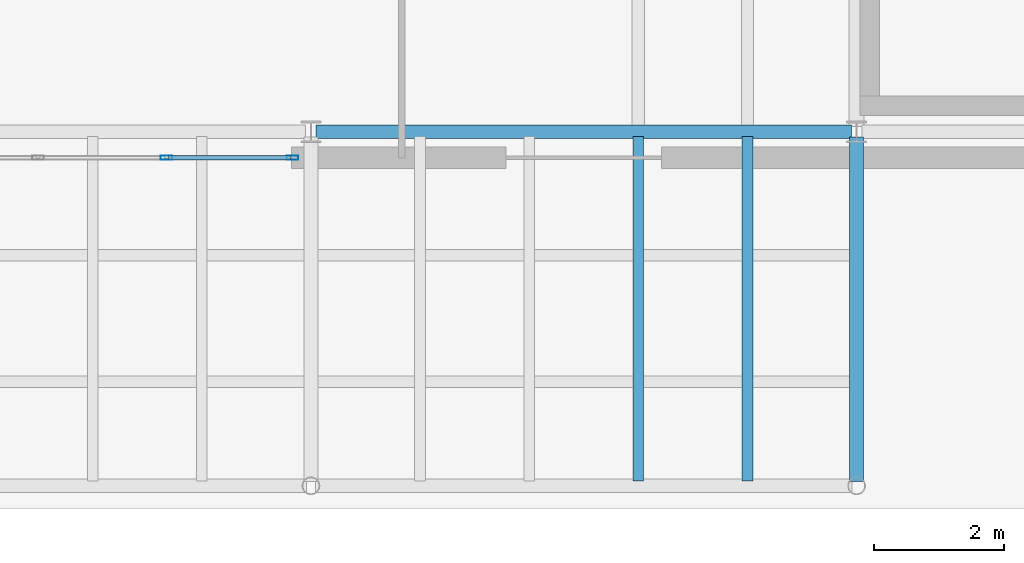
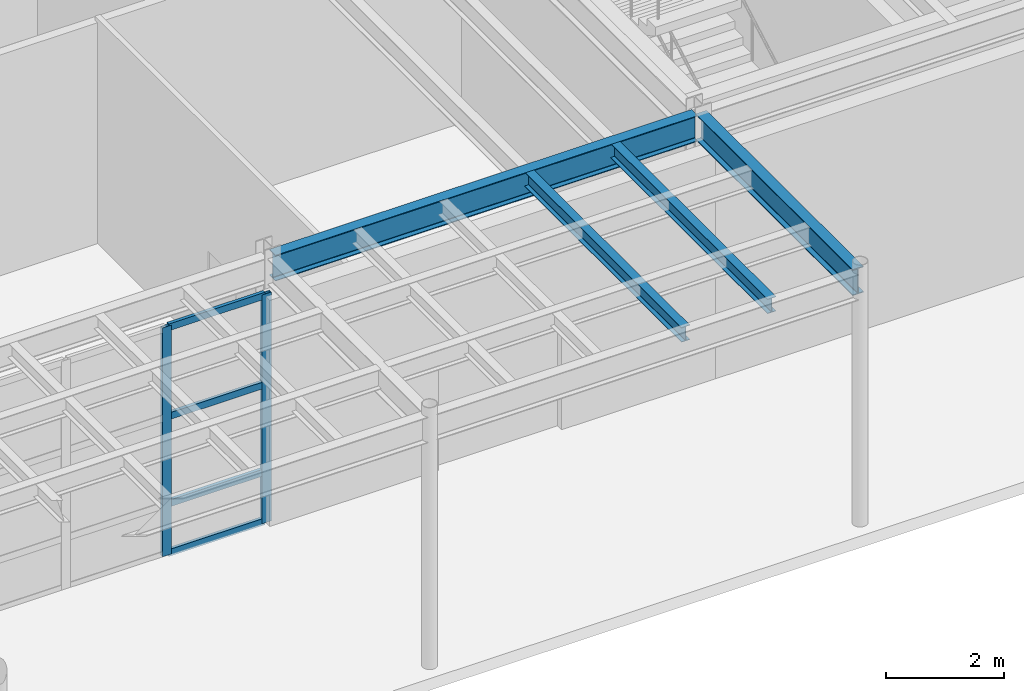
# One storey, part 34 of 87: 6 members, 4 beams, 1 element without a shape of its own.
"""IFC4 building model written with IfcOpenShell, lengths in metres."""

import ifcopenshell
import ifcopenshell.guid

model = None  # the IFC model being written
_history = None  # IfcOwnerHistory: only IFC2X3 demands one
_inside = {}  # id of a spatial element -> (the spatial element, [elements in it])
_under = {}  # id of a project, library or spatial element -> (it, [spatial elements below it])
_declared = {}  # id of a project -> (the project, [libraries it declares])
_typed = {}  # id of a type object -> (the type object, [elements of that type])
_made_of = {}  # id of a material, layer set ... -> (it, [elements and type objects made of it])


def new_model(schema):
    """Start an empty IFC model of exactly this schema.

    Asked for "IFC4X3", IfcOpenShell would pick the latest addendum, in which some entities
    have other attributes; the version numbers below select the first issue.
    IFC2X3 requires an IfcOwnerHistory on every rooted entity: one is made here for all.
    """
    global model, _history
    if schema == "IFC4X3":
        model = ifcopenshell.file(schema_version=(4, 3, 0, 0))
    else:
        model = ifcopenshell.file(schema=schema)
    _inside.clear()
    _under.clear()
    _declared.clear()
    _typed.clear()
    _made_of.clear()
    _history = None
    if model.schema == "IFC2X3":
        org = make("IfcOrganization", Name="unknown")
        user = make(
            "IfcPersonAndOrganization",
            ThePerson=make("IfcPerson", FamilyName="unknown"),
            TheOrganization=org,
        )
        app = make(
            "IfcApplication",
            ApplicationDeveloper=org,
            Version="unknown",
            ApplicationFullName="unknown",
            ApplicationIdentifier="unknown",
        )
        _history = make(
            "IfcOwnerHistory",
            OwningUser=user,
            OwningApplication=app,
            ChangeAction="ADDED",
            CreationDate=0,
        )
    return model


def make(cls, **values):
    """One entity of the class cls with the attributes given. An attribute that is None is left unset."""
    return model.create_entity(
        cls, **{name: value for name, value in values.items() if value is not None}
    )


def rooted(cls, **values):
    """An entity with a GlobalId (a new one), such as an element, a storey or a relation."""
    return make(cls, GlobalId=ifcopenshell.guid.new(), OwnerHistory=_history, **values)


def si_unit(unit_type, name, prefix=None):
    """IfcSIUnit, for example si_unit("LENGTHUNIT", "METRE", prefix="MILLI")."""
    return make("IfcSIUnit", UnitType=unit_type, Prefix=prefix, Name=name)


def assignment(units):
    """IfcUnitAssignment: the units of a project."""
    return None if units is None else make("IfcUnitAssignment", Units=units)


def point(xyz):
    """IfcCartesianPoint."""
    return None if xyz is None else make("IfcCartesianPoint", Coordinates=xyz)


def direction(xyz):
    """IfcDirection."""
    return None if xyz is None else make("IfcDirection", DirectionRatios=xyz)


def frame(location, z_axis=None, x_axis=None):
    """IfcAxis2Placement3D, a coordinate frame: its origin and axes. An axis left out is left unset."""
    return make(
        "IfcAxis2Placement3D",
        Location=point(location),
        Axis=direction(z_axis),
        RefDirection=direction(x_axis),
    )


def frame_2d(location, x_axis=None):
    """IfcAxis2Placement2D, a coordinate frame in the plane: its origin and x axis."""
    return make(
        "IfcAxis2Placement2D", Location=point(location), RefDirection=direction(x_axis)
    )


def origin():
    """The frame at (0, 0, 0) with its axes left unset."""
    return frame((0.0, 0.0, 0.0))


def origin_2d():
    """The frame at (0, 0) in the plane with its x axis left unset."""
    return frame_2d((0.0, 0.0))


def place(relative_to, where):
    """IfcLocalPlacement: puts the frame where relative to a parent placement (None: the world)."""
    return make(
        "IfcLocalPlacement", PlacementRelTo=relative_to, RelativePlacement=where
    )


def context(
    kind, dimensions, precision=None, world=None, true_north=None, identifier=None
):
    """IfcGeometricRepresentationContext, for example the 3D "Model" context."""
    return make(
        "IfcGeometricRepresentationContext",
        ContextIdentifier=identifier,
        ContextType=kind,
        CoordinateSpaceDimension=dimensions,
        Precision=precision,
        WorldCoordinateSystem=world,
        TrueNorth=true_north,
    )


def subcontext(parent, identifier, kind, view, scale=None):
    """IfcGeometricRepresentationSubContext, for example "Body" below "Model"."""
    return make(
        "IfcGeometricRepresentationSubContext",
        ContextIdentifier=identifier,
        ContextType=kind,
        ParentContext=parent,
        TargetScale=scale,
        TargetView=view,
    )


def project(units=None, contexts=None):
    """IfcProject with its units and contexts."""
    return rooted(
        "IfcProject",
        Name="project",
        RepresentationContexts=contexts,
        UnitsInContext=assignment(units),
    )


def spatial(cls, under=None, at=None, **own):
    """A site, building, storey or space (cls), placed at a placement, below another one or the project."""
    s = rooted(cls, ObjectPlacement=at, **own)
    if under is not None:
        _under.setdefault(under.id(), (under, []))[1].append(s)
    return s


def profile(cls, at=None, kind="AREA", **sizes):
    """A parametric profile (cls). Its sizes go by their IFC names, for example OverallWidth=200.0."""
    return make(cls, ProfileType=kind, Position=at, **sizes)


def hollow_rectangle(**sizes):
    """IfcRectangleHollowProfileDef."""
    return profile("IfcRectangleHollowProfileDef", **sizes)


def i_section(**sizes):
    """IfcIShapeProfileDef."""
    return profile("IfcIShapeProfileDef", **sizes)


def extrude(swept, where, along, depth):
    """IfcExtrudedAreaSolid: the profile swept, set in the frame where, extruded along a direction by depth."""
    return make(
        "IfcExtrudedAreaSolid",
        SweptArea=swept,
        Position=where,
        ExtrudedDirection=direction(along),
        Depth=depth,
    )


def shape(context_of_items, identifier, shape_type, items):
    """IfcShapeRepresentation: the items that make up one representation, for example the "Body"."""
    return make(
        "IfcShapeRepresentation",
        ContextOfItems=context_of_items,
        RepresentationIdentifier=identifier,
        RepresentationType=shape_type,
        Items=items,
    )


def material(Name=None, Category=None):
    """IfcMaterial."""
    return make("IfcMaterial", Name=Name, Category=Category)


def layer(
    of_material, thickness, ventilated=None, Name=None, Category=None, Priority=None
):
    """IfcMaterialLayer: one layer of a wall or slab, of a material (None: an air gap)."""
    return make(
        "IfcMaterialLayer",
        Material=of_material,
        LayerThickness=thickness,
        IsVentilated=ventilated,
        Name=Name,
        Category=Category,
        Priority=Priority,
    )


def layer_set(layers, Name=None):
    """IfcMaterialLayerSet."""
    return make("IfcMaterialLayerSet", MaterialLayers=layers, LayerSetName=Name)


def material_profile(
    of_material, cross_section, Name=None, Category=None, Priority=None
):
    """IfcMaterialProfile: a cross section and its material."""
    return make(
        "IfcMaterialProfile",
        Name=Name,
        Material=of_material,
        Profile=cross_section,
        Priority=Priority,
        Category=Category,
    )


def profile_set(profiles, Name=None, composite=None):
    """IfcMaterialProfileSet."""
    return make(
        "IfcMaterialProfileSet",
        Name=Name,
        MaterialProfiles=profiles,
        CompositeProfile=composite,
    )


def made_of(thing, what):
    """Note that an element or type object is made of a material, layer set ...; save() writes the relation."""
    if what is not None:
        _made_of.setdefault(what.id(), (what, []))[1].append(thing)
    return thing


def type_object(cls, material=None, **own):
    """A type object (cls), such as IfcWallType, which elements share."""
    return made_of(rooted(cls, **own), material)


def element(
    cls,
    number,
    at=None,
    inside=None,
    cuts=None,
    type_object=None,
    material=None,
    context=None,
    identifier="Body",
    shape_type=None,
    held_by="IfcProductDefinitionShape",
    body=None,
    shapes=None,
    **own,
):
    """One element of the class cls, such as IfcWall. Its Tag is "e" and its number.

    at: its placement. inside: the storey or other place that contains it. cuts: it is an
    opening in that element (IfcRelVoidsElement). A single representation is given by context,
    identifier, shape_type and body (its items); several are given by shapes. held_by: the class
    of the entity that holds the representations. save() writes the other relations.
    """
    e = rooted(cls, Tag="e%d" % number, ObjectPlacement=at, **own)
    if body is not None:
        shapes = [shape(context, identifier, shape_type, body)]
    if shapes is not None:
        e.Representation = make(held_by, Representations=shapes)
    if inside is not None:
        _inside.setdefault(inside.id(), (inside, []))[1].append(e)
    if cuts is not None:
        rooted(
            "IfcRelVoidsElement", RelatingBuildingElement=cuts, RelatedOpeningElement=e
        )
    if type_object is not None:
        _typed.setdefault(type_object.id(), (type_object, []))[1].append(e)
    return made_of(e, material)


def aggregate(whole, parts):
    """IfcRelAggregates: a whole, such as a stair, and the parts it consists of."""
    return rooted("IfcRelAggregates", RelatingObject=whole, RelatedObjects=parts)


def save(model, path):
    """Write the relations noted so far, then the file.

    IfcRelAggregates (storeys below a building ...), IfcRelContainedInSpatialStructure (elements
    in a storey), IfcRelDefinesByType, IfcRelAssociatesMaterial and IfcRelDeclares: one each for
    every whole, place, type object, material and project.
    """
    for whole, parts in _under.values():
        aggregate(whole, parts)
    for where, things in _inside.values():
        rooted(
            "IfcRelContainedInSpatialStructure",
            RelatedElements=things,
            RelatingStructure=where,
        )
    for kind, things in _typed.values():
        rooted("IfcRelDefinesByType", RelatedObjects=things, RelatingType=kind)
    for what, things in _made_of.values():
        rooted("IfcRelAssociatesMaterial", RelatedObjects=things, RelatingMaterial=what)
    for by, libraries in _declared.values():
        rooted("IfcRelDeclares", RelatingContext=by, RelatedDefinitions=libraries)
    model.write(path)


model = new_model("IFC4")

# Units and contexts
model_context = context("Model", 3, precision=1e-05, world=origin(), true_north=direction((0.0, 1.0)))
body_context = subcontext(model_context, "Body", "Model", "MODEL_VIEW")
ifc_project = project(units=[si_unit("LENGTHUNIT", "METRE"), si_unit("AREAUNIT", "SQUARE_METRE"), si_unit("VOLUMEUNIT", "CUBIC_METRE"), si_unit("PLANEANGLEUNIT", "RADIAN"), si_unit("MASSUNIT", "GRAM", prefix="KILO")], contexts=[model_context])

# Site, building, storey
site_placement = place(None, origin())
site = spatial("IfcSite", under=ifc_project, at=site_placement, CompositionType="ELEMENT")
building_placement = place(site_placement, origin())
building = spatial("IfcBuilding", under=site, at=building_placement, Name="Selat Folded Stagehouse", CompositionType="ELEMENT")
storey_placement = place(building_placement, origin())
storey = spatial("IfcBuildingStorey", under=building, at=storey_placement, Name="L00", CompositionType="ELEMENT", Elevation=0.0)

# Beams
ifc_material_1 = material(Name="Steel S355", Category="steel")
ifc_material_profile_1 = material_profile(ifc_material_1, i_section(OverallWidth=0.210693359375, OverallDepth=0.53955078125, WebThickness=0.01171875, FlangeThickness=0.018798828125, FilletRadius=0.0126953125, at=origin_2d()), Name="UKB 533x210x109")
ifc_profile_set_1 = profile_set([ifc_material_profile_1], Name="Steel S355")
beam_type_1 = type_object("IfcBeamType", Name="BM-GIRD-533x210x109", PredefinedType="BEAM", material=ifc_profile_set_1)
beam_1_placement = place(storey_placement, frame((75.60009765625, 0.418212890625, 4.940185546875), z_axis=(0.0, 1.0, 0.0), x_axis=(-1.0, 0.0, 0.0)))
element("IfcBeam", 1, at=beam_1_placement, inside=storey, type_object=beam_type_1, Name="L00 primary y-girder 0579", PredefinedType="BEAM", context=body_context, shape_type="SweptSolid", body=[
    extrude(i_section(OverallWidth=0.210693359375, OverallDepth=0.53955078125, WebThickness=0.01171875, FlangeThickness=0.018798828125, FilletRadius=0.0126953125, at=origin_2d()), origin(), (0.0, 0.0, 1.0), 5.3017578125),
])
ifc_material_profile_2 = material_profile(ifc_material_1, i_section(OverallWidth=0.209228515625, OverallDepth=0.533203125, WebThickness=0.010009765625, FlangeThickness=0.015625, FilletRadius=0.0126953125, at=origin_2d()), Name="UKB 533x210x92")
ifc_profile_set_2 = profile_set([ifc_material_profile_2], Name="Steel S355")
beam_type_2 = type_object("IfcBeamType", Name="BM-GIRD-533x210x92", PredefinedType="BEAM", material=ifc_profile_set_2)
beam_2_placement = place(storey_placement, frame((67.280029296875, 5.800048828125, 4.91357421875), z_axis=(1.0, 0.0, 0.0), x_axis=(0.0, 1.0, 0.0)))
element("IfcBeam", 2, at=beam_2_placement, inside=storey, type_object=beam_type_2, Name="L00 primary x-girder 0503", PredefinedType="BEAM", context=body_context, shape_type="SweptSolid", body=[
    extrude(i_section(OverallWidth=0.209228515625, OverallDepth=0.533203125, WebThickness=0.010009765625, FlangeThickness=0.015625, FilletRadius=0.0126953125, at=origin_2d()), origin(), (0.0, 0.0, 1.0), 8.239990234375),
])

# Curtain wall, members
ifc_material_2 = material(Name="Aluminium 6063-T6", Category="aluminium")
ifc_layer = layer(ifc_material_2, 0.2099609375)
ifc_layer_set = layer_set([ifc_layer], Name="Aluminium 6063-T6")
curtain_wall_type = type_object("IfcCurtainWallType", Name="CW-FYR-SOUTH", PredefinedType="NOTDEFINED", material=ifc_layer_set)
curtain_wall_placement = place(storey_placement, origin())
curtain_wall = element("IfcCurtainWall", 3, at=curtain_wall_placement, inside=storey, type_object=curtain_wall_type, Name="L00 curtain wall CW-FYR-L00-02", PredefinedType="NOTDEFINED")
ifc_material_profile_3 = material_profile(ifc_material_2, hollow_rectangle(XDim=0.06494140625, YDim=0.179931640625, WallThickness=0.00390625, at=origin_2d()), Name="ALU 180x65x4.0")
ifc_profile_set_3 = profile_set([ifc_material_profile_3], Name="Aluminium 6063-T6")
member_type_1 = type_object("IfcMemberType", Name="CWM-MUL-180x65", PredefinedType="MULLION", material=ifc_profile_set_3)
member_1_placement = place(storey_placement, frame((66.91748046875, 5.39990234375, 0.0), z_axis=(0.0, 0.0, 1.0), x_axis=(0.0, -1.0, 0.0)))
member_1 = element("IfcMember", 4, at=member_1_placement, type_object=member_type_1, Name="CW-04 mullion 1", PredefinedType="MULLION", context=body_context, shape_type="SweptSolid", body=[
    extrude(hollow_rectangle(XDim=0.06494140625, YDim=0.179931640625, WallThickness=0.00390625, at=origin_2d()), origin(), (0.0, 0.0, 1.0), 4.719970703125),
])
member_2_placement = place(storey_placement, frame((64.97509765625, 5.39990234375, 0.0), z_axis=(0.0, 0.0, 1.0), x_axis=(0.0, -1.0, 0.0)))
member_2 = element("IfcMember", 5, at=member_2_placement, type_object=member_type_1, Name="CW-04 mullion 2", PredefinedType="MULLION", context=body_context, shape_type="SweptSolid", body=[
    extrude(hollow_rectangle(XDim=0.06494140625, YDim=0.179931640625, WallThickness=0.00390625, at=origin_2d()), origin(), (0.0, 0.0, 1.0), 4.719970703125),
])
ifc_material_profile_4 = material_profile(ifc_material_2, hollow_rectangle(XDim=0.06494140625, YDim=0.139892578125, WallThickness=0.00390625, at=origin_2d()), Name="ALU 140x65x4.0")
ifc_profile_set_4 = profile_set([ifc_material_profile_4], Name="Aluminium 6063-T6")
member_type_2 = type_object("IfcMemberType", Name="CWM-TRN-140x65", PredefinedType="USERDEFINED", material=ifc_profile_set_4)
member_3_placement = place(storey_placement, frame((66.885009765625, 5.39990234375, 0.032470703125), z_axis=(-1.0, 0.0, 0.0), x_axis=(0.0, -1.0, 0.0)))
member_3 = element("IfcMember", 6, at=member_3_placement, type_object=member_type_2, Name="CW-04 transom 1.1", ObjectType="TRANSOM", PredefinedType="USERDEFINED", context=body_context, shape_type="SweptSolid", body=[
    extrude(hollow_rectangle(XDim=0.06494140625, YDim=0.139892578125, WallThickness=0.00390625, at=origin_2d()), origin(), (0.0, 0.0, 1.0), 1.87744140625),
])
member_4_placement = place(storey_placement, frame((66.885009765625, 5.39990234375, 1.050048828125), z_axis=(-1.0, 0.0, 0.0), x_axis=(0.0, -1.0, 0.0)))
member_4 = element("IfcMember", 7, at=member_4_placement, type_object=member_type_2, Name="CW-04 transom 1.2", ObjectType="TRANSOM", PredefinedType="USERDEFINED", context=body_context, shape_type="SweptSolid", body=[
    extrude(hollow_rectangle(XDim=0.06494140625, YDim=0.139892578125, WallThickness=0.00390625, at=origin_2d()), origin(), (0.0, 0.0, 1.0), 1.87744140625),
])
member_5_placement = place(storey_placement, frame((66.885009765625, 5.39990234375, 2.85009765625), z_axis=(-1.0, 0.0, 0.0), x_axis=(0.0, -1.0, 0.0)))
member_5 = element("IfcMember", 8, at=member_5_placement, type_object=member_type_2, Name="CW-04 transom 1.3", ObjectType="TRANSOM", PredefinedType="USERDEFINED", context=body_context, shape_type="SweptSolid", body=[
    extrude(hollow_rectangle(XDim=0.06494140625, YDim=0.139892578125, WallThickness=0.00390625, at=origin_2d()), origin(), (0.0, 0.0, 1.0), 1.87744140625),
])
member_6_placement = place(storey_placement, frame((66.885009765625, 5.39990234375, 4.6875), z_axis=(-1.0, 0.0, 0.0), x_axis=(0.0, -1.0, 0.0)))
member_6 = element("IfcMember", 9, at=member_6_placement, type_object=member_type_2, Name="CW-04 transom 1.4", ObjectType="TRANSOM", PredefinedType="USERDEFINED", context=body_context, shape_type="SweptSolid", body=[
    extrude(hollow_rectangle(XDim=0.06494140625, YDim=0.139892578125, WallThickness=0.00390625, at=origin_2d()), origin(), (0.0, 0.0, 1.0), 1.87744140625),
])
aggregate(curtain_wall, [member_1, member_2, member_3, member_4, member_5, member_6])

# Beams
ifc_material_profile_5 = material_profile(ifc_material_1, i_section(OverallWidth=0.1650390625, OverallDepth=0.303466796875, WebThickness=0.006103515625, FlangeThickness=0.01025390625, FilletRadius=0.0087890625, at=origin_2d()), Name="UKB 305x165x40")
ifc_profile_set_5 = profile_set([ifc_material_profile_5], Name="Steel S355")
beam_type_3 = type_object("IfcBeamType", Name="JST-305x165x40", PredefinedType="JOIST", material=ifc_profile_set_5)
for number, where, z_axis, x_axis, name in (
    (10, (72.239990234375, 0.42333984375, 5.0283203125), (0.0, 1.0, 0.0), (-1.0, 0.0, 0.0), "L00 secondary floor joist 0666"),
    (11, (73.919921875, 0.42333984375, 5.0283203125), (0.0, 1.0, 0.0), (-1.0, 0.0, 0.0), "L00 secondary floor joist 0668"),
):
    element("IfcBeam", number, at=place(storey_placement, frame(where, z_axis=z_axis, x_axis=x_axis)), inside=storey, type_object=beam_type_3, Name=name, PredefinedType="JOIST", context=body_context, shape_type="SweptSolid", body=[
        extrude(i_section(OverallWidth=0.1650390625, OverallDepth=0.303466796875, WebThickness=0.006103515625, FlangeThickness=0.01025390625, FilletRadius=0.0087890625, at=origin_2d()), origin(), (0.0, 0.0, 1.0), 5.303466796875),
    ])

save(model, "model.ifc")
